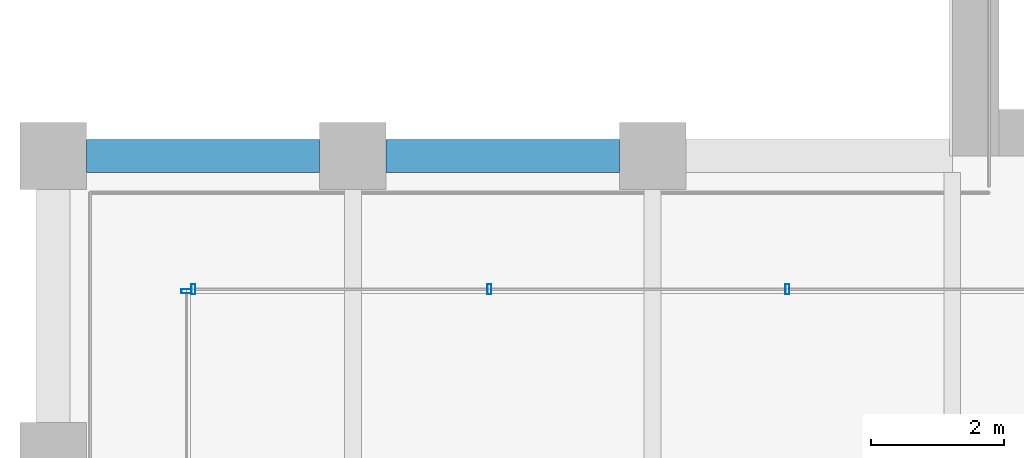
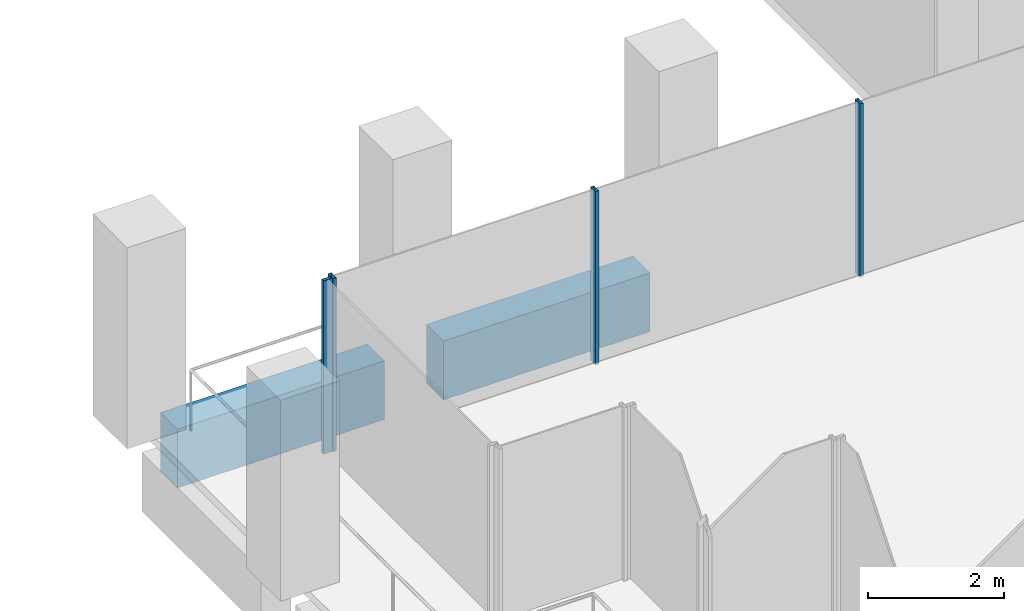
# One storey, part 5 of 46: 4 members, 2 beams, 2 elements without a shape of their own.
"""IFC4 building model written with IfcOpenShell, lengths in metres."""

from ifc_helpers import new_model, si_unit, direction, frame, origin, origin_2d, place, context, subcontext, project, spatial, rectangle, hollow_rectangle, extrude, material, material_profile, profile_set, type_object, element, aggregate, save


model = new_model("IFC4")

# Units and contexts
model_context = context("Model", 3, precision=1e-05, world=origin(), true_north=direction((0.0, 1.0)))
body_context = subcontext(model_context, "Body", "Model", "MODEL_VIEW")
ifc_project = project(units=[si_unit("LENGTHUNIT", "METRE"), si_unit("AREAUNIT", "SQUARE_METRE"), si_unit("VOLUMEUNIT", "CUBIC_METRE"), si_unit("PLANEANGLEUNIT", "RADIAN"), si_unit("MASSUNIT", "GRAM", prefix="KILO")], contexts=[model_context])

# Site, building, storey
site_placement = place(None, origin())
site = spatial("IfcSite", under=ifc_project, at=site_placement, CompositionType="ELEMENT")
building_placement = place(site_placement, origin())
building = spatial("IfcBuilding", under=site, at=building_placement, Name="Altepetl Exchange Towers", CompositionType="ELEMENT")
storey_placement = place(building_placement, frame((0.0, 0.0, 131.60009765625)))
storey = spatial("IfcBuildingStorey", under=building, at=storey_placement, Name="L32", CompositionType="ELEMENT", Elevation=131.60009765625)

# Curtain wall, members
ifc_material_1 = material(Name="Aluminium 6063-T6 glazing", Category="aluminium")
curtain_wall_type = type_object("IfcCurtainWallType", Name="Loggia glazing system", PredefinedType="NOTDEFINED", material=ifc_material_1)
curtain_wall_1_placement = place(storey_placement, origin())
curtain_wall_1 = element("IfcCurtainWall", 1, at=curtain_wall_1_placement, inside=storey, type_object=curtain_wall_type, Name="CW1 run", PredefinedType="NOTDEFINED")
ifc_material_2 = material(Name="Aluminium 6063-T6", Category="aluminium")
ifc_material_profile_1 = material_profile(ifc_material_2, hollow_rectangle(XDim=0.06005859375, YDim=0.14990234375, WallThickness=0.0029296875, at=origin_2d()), Name="Mullion 60x150 aluminium")
ifc_profile_set_1 = profile_set([ifc_material_profile_1], Name="Aluminium 6063-T6")
member_type = type_object("IfcMemberType", Name="Mullion 60x150 aluminium", PredefinedType="MULLION", material=ifc_profile_set_1)
member_1_placement = place(storey_placement, frame((38.02490234375, 38.5, 0.0), z_axis=(0.0, 0.0, 1.0), x_axis=(-1.0, 0.0, 0.0)))
member_1 = element("IfcMember", 2, at=member_1_placement, type_object=member_type, Name="MU1 mullion", PredefinedType="MULLION", context=body_context, shape_type="SweptSolid", body=[
    extrude(hollow_rectangle(XDim=0.06005859375, YDim=0.14990234375, WallThickness=0.0029296875, at=origin_2d()), origin(), (0.0, 0.0, 1.0), 3.099853515625),
])
member_2_placement = place(storey_placement, frame((33.550048828125, 38.5, 0.0), z_axis=(0.0, 0.0, 1.0), x_axis=(-1.0, 0.0, 0.0)))
member_2 = element("IfcMember", 3, at=member_2_placement, type_object=member_type, Name="MU1 mullion", PredefinedType="MULLION", context=body_context, shape_type="SweptSolid", body=[
    extrude(hollow_rectangle(XDim=0.06005859375, YDim=0.14990234375, WallThickness=0.0029296875, at=origin_2d()), origin(), (0.0, 0.0, 1.0), 3.099853515625),
])
member_3_placement = place(storey_placement, frame((29.10498046875, 38.5, 0.0), z_axis=(0.0, 0.0, 1.0), x_axis=(-1.0, 0.0, 0.0)))
member_3 = element("IfcMember", 4, at=member_3_placement, type_object=member_type, Name="MU1 mullion", PredefinedType="MULLION", context=body_context, shape_type="SweptSolid", body=[
    extrude(hollow_rectangle(XDim=0.06005859375, YDim=0.14990234375, WallThickness=0.0029296875, at=origin_2d()), origin(), (0.0, 0.0, 1.0), 3.099853515625),
])
aggregate(curtain_wall_1, [member_1, member_2, member_3])

# Curtain wall, member
curtain_wall_2_placement = place(storey_placement, origin())
curtain_wall_2 = element("IfcCurtainWall", 5, at=curtain_wall_2_placement, inside=storey, type_object=curtain_wall_type, Name="CW1 run", PredefinedType="NOTDEFINED")
member_4_placement = place(storey_placement, frame((29.0, 38.469970703125, 0.0), z_axis=(0.0, 0.0, 1.0), x_axis=(0.0, -1.0, 0.0)))
member_4 = element("IfcMember", 6, at=member_4_placement, type_object=member_type, Name="MU1 mullion", PredefinedType="MULLION", context=body_context, shape_type="SweptSolid", body=[
    extrude(hollow_rectangle(XDim=0.06005859375, YDim=0.14990234375, WallThickness=0.0029296875, at=origin_2d()), origin(), (0.0, 0.0, 1.0), 3.099853515625),
])
aggregate(curtain_wall_2, [member_4])

# Beams
ifc_material_3 = material(Name="Concrete C50/60 precast with tezontle facing", Category="concrete")
ifc_material_profile_2 = material_profile(ifc_material_3, rectangle(XDim=0.5, YDim=1.050048828125, at=origin_2d()), Name="500 x 1050")
ifc_profile_set_2 = profile_set([ifc_material_profile_2], Name="Concrete C50/60 precast with tezontle facing")
beam_type = type_object("IfcBeamType", Name="Spandrel beam 500x1050 tezontle", PredefinedType="SPANDREL", material=ifc_profile_set_2)
for number, where, z_axis, x_axis, name in (
    (7, (35.5, 40.5, -0.675048828125), (-1.0, 0.0, 0.0), (0.0, -1.0, 0.0), "sp:A:L32:034"),
    (8, (31.0, 40.5, -0.675048828125), (-1.0, 0.0, 0.0), (0.0, -1.0, 0.0), "sp:A:L32:035"),
):
    element("IfcBeam", number, at=place(storey_placement, frame(where, z_axis=z_axis, x_axis=x_axis)), inside=storey, type_object=beam_type, Name=name, PredefinedType="SPANDREL", context=body_context, shape_type="SweptSolid", body=[
        extrude(rectangle(XDim=0.5, YDim=1.050048828125, at=origin_2d()), origin(), (0.0, 0.0, 1.0), 3.5),
    ])

save(model, "model.ifc")
